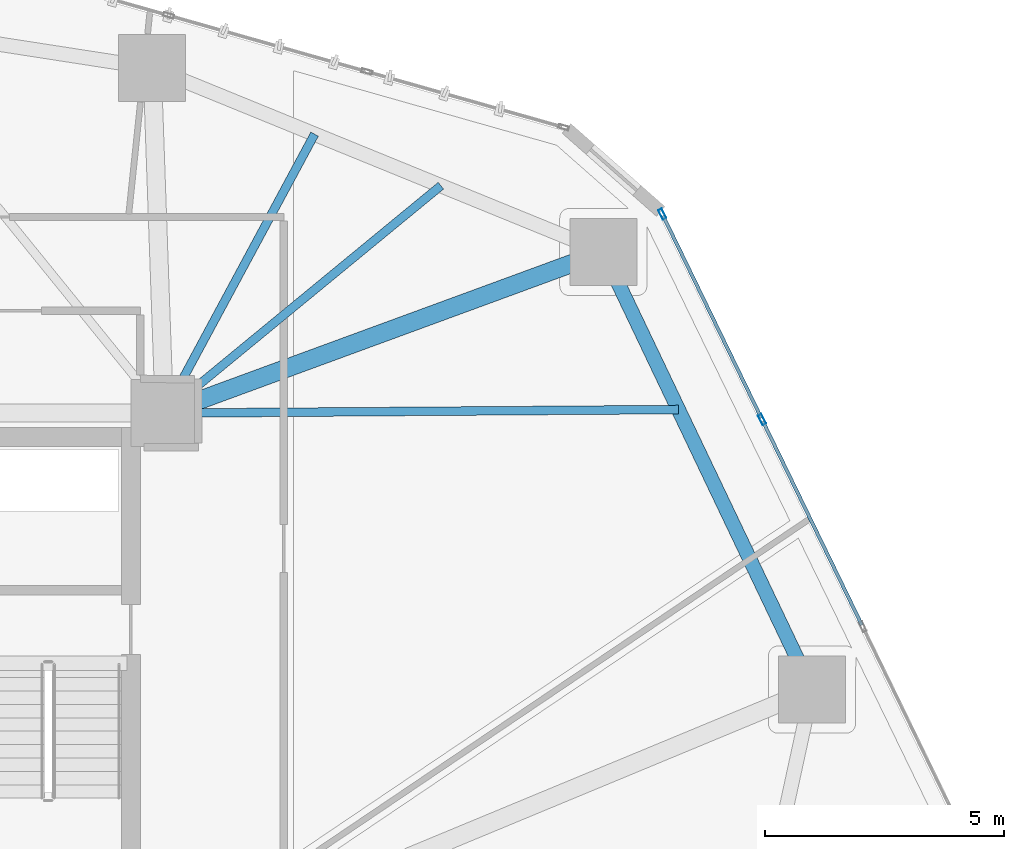
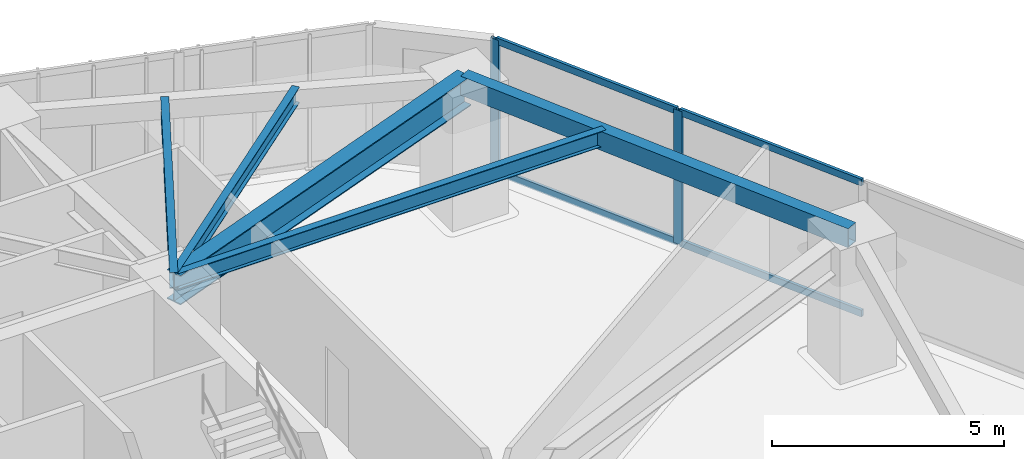
# One storey, part 13 of 24: 6 members, 5 beams, 1 element without a shape of its own.
"""IFC4 building model written with IfcOpenShell, lengths in metres."""

from ifc_helpers import new_model, si_unit, direction, frame, origin, origin_2d, place, context, subcontext, project, spatial, hollow_rectangle, i_section, extrude, source, transform, mapped, material, layer, layer_set, material_profile, profile_set, type_object, type_shapes, element, aggregate, save


model = new_model("IFC4")

# Units and contexts
model_context = context("Model", 3, precision=1e-05, world=origin(), true_north=direction((0.0, 1.0)))
body_context = subcontext(model_context, "Body", "Model", "MODEL_VIEW")
ifc_project = project(units=[si_unit("LENGTHUNIT", "METRE"), si_unit("AREAUNIT", "SQUARE_METRE"), si_unit("VOLUMEUNIT", "CUBIC_METRE"), si_unit("PLANEANGLEUNIT", "RADIAN"), si_unit("MASSUNIT", "GRAM", prefix="KILO")], contexts=[model_context])

# Site, building, storey
site_placement = place(None, origin())
site = spatial("IfcSite", under=ifc_project, at=site_placement, CompositionType="ELEMENT")
building_placement = place(site_placement, origin())
building = spatial("IfcBuilding", under=site, at=building_placement, Name="Talar Marvaseh", CompositionType="ELEMENT")
storey_placement = place(building_placement, frame((0.0, 0.0, 43.0)))
storey = spatial("IfcBuildingStorey", under=building, at=storey_placement, Name="L10", CompositionType="ELEMENT", Elevation=43.0)

# Beams
ifc_material_1 = material(Name="Steel S355", Category="steel")
ifc_material_profile_1 = material_profile(ifc_material_1, hollow_rectangle(XDim=0.300048828125, YDim=0.5, WallThickness=0.02001953125, at=origin_2d()), Name="RHS500x300x20")
ifc_profile_set_1 = profile_set([ifc_material_profile_1], Name="Steel S355")
beam_type_1 = type_object("IfcBeamType", Name="Zone 1 Perimeter Spandrel Beam RHS500x300x20", PredefinedType="SPANDREL", material=ifc_profile_set_1)
beam_1_placement = place(storey_placement, frame((42.47705078125, 40.26904296875, 3.27001953125), z_axis=(0.430480372911, -0.902599938255, 0.0), x_axis=(0.902599938255, 0.430480372911, 0.0)))
element("IfcBeam", 1, at=beam_1_placement, inside=storey, type_object=beam_type_1, Name="L10 Zone 1 Perimeter Spandrel Beam RHS500x300x20", PredefinedType="SPANDREL", context=body_context, shape_type="SweptSolid", body=[
    extrude(hollow_rectangle(XDim=0.300048828125, YDim=0.5, WallThickness=0.02001953125, at=origin_2d()), origin(), (0.0, 0.0, 1.0), 10.137451171875),
])
ifc_material_profile_2 = material_profile(ifc_material_1, i_section(OverallWidth=0.381103515625, OverallDepth=0.77294921875, WebThickness=0.0166015625, FlangeThickness=0.027099609375, at=origin_2d()), Name="W760x257")
ifc_profile_set_2 = profile_set([ifc_material_profile_2], Name="Steel S355")
beam_type_2 = type_object("IfcBeamType", Name="Zone 1 Radial Floor Girder W760x257", PredefinedType="BEAM", material=ifc_profile_set_2)
beam_2_placement = place(storey_placement, frame((42.47705078125, 40.26904296875, 3.133544921875), z_axis=(-0.938736057616, -0.344636930887, 0.0), x_axis=(0.344636930887, -0.938736057616, 0.0)))
element("IfcBeam", 2, at=beam_2_placement, inside=storey, type_object=beam_type_2, Name="L10 Zone 1 Radial Floor Girder W760x257", PredefinedType="BEAM", context=body_context, shape_type="SweptSolid", body=[
    extrude(i_section(OverallWidth=0.381103515625, OverallDepth=0.77294921875, WebThickness=0.0166015625, FlangeThickness=0.027099609375, at=origin_2d()), origin(), (0.0, 0.0, 1.0), 9.77587890625),
])
ifc_material_profile_3 = material_profile(ifc_material_1, i_section(OverallWidth=0.179931640625, OverallDepth=0.4130859375, WebThickness=0.009765625, FlangeThickness=0.01611328125, at=origin_2d()), Name="W410x75")
ifc_profile_set_3 = profile_set([ifc_material_profile_3], Name="Steel S355")
beam_type_3 = type_object("IfcBeamType", Name="Zone 1 Secondary Floor Joist W410x75", PredefinedType="JOIST", material=ifc_profile_set_3)
beam_3_placement = place(storey_placement, frame((44.048095703125, 36.97509765625, 3.3134765625), z_axis=(-0.999975527604, -0.006996012686, 0.0), x_axis=(0.006996012686, -0.999975527604, 0.0)))
element("IfcBeam", 3, at=beam_3_placement, inside=storey, type_object=beam_type_3, Name="L10 Zone 1 Secondary Floor Joist W410x75", PredefinedType="JOIST", context=body_context, shape_type="SweptSolid", body=[
    extrude(i_section(OverallWidth=0.179931640625, OverallDepth=0.4130859375, WebThickness=0.009765625, FlangeThickness=0.01611328125, at=origin_2d()), origin(), (0.0, 0.0, 1.0), 10.748291015625),
])
beam_4_placement = place(storey_placement, frame((36.441162109375, 42.732421875, 3.3134765625), z_axis=(-0.474161357627, -0.880437963137, 0.0), x_axis=(0.880437963137, -0.474161357627, 0.0)))
element("IfcBeam", 4, at=beam_4_placement, inside=storey, type_object=beam_type_3, Name="L10 Zone 1 Secondary Floor Joist W410x75", PredefinedType="JOIST", context=body_context, shape_type="SweptSolid", body=[
    extrude(i_section(OverallWidth=0.179931640625, OverallDepth=0.4130859375, WebThickness=0.009765625, FlangeThickness=0.01611328125, at=origin_2d()), origin(), (0.0, 0.0, 1.0), 6.62451171875),
])
beam_5_placement = place(storey_placement, frame((39.081787109375, 41.654541015625, 3.3134765625), z_axis=(-0.772375351123, -0.635166369526, 0.0), x_axis=(0.635166369526, -0.772375351123, 0.0)))
element("IfcBeam", 5, at=beam_5_placement, inside=storey, type_object=beam_type_3, Name="L10 Zone 1 Secondary Floor Joist W410x75", PredefinedType="JOIST", context=body_context, shape_type="SweptSolid", body=[
    extrude(i_section(OverallWidth=0.179931640625, OverallDepth=0.4130859375, WebThickness=0.009765625, FlangeThickness=0.01611328125, at=origin_2d()), origin(), (0.0, 0.0, 1.0), 7.485595703125),
])

# Curtain wall, members
ifc_material_2 = material(Name="Architectural Aluminium", Category="aluminium")
ifc_layer = layer(ifc_material_2, 0.219970703125)
ifc_layer_set = layer_set([ifc_layer], Name="Architectural Aluminium")
curtain_wall_type = type_object("IfcCurtainWallType", Name="Unitised Low-E Museum Curtain Wall Z1", PredefinedType="NOTDEFINED", material=ifc_layer_set)
curtain_wall_placement = place(storey_placement, origin())
curtain_wall = element("IfcCurtainWall", 6, at=curtain_wall_placement, inside=storey, type_object=curtain_wall_type, Name="L10 Unitised Low-E Museum Curtain Wall Z1", PredefinedType="NOTDEFINED")
ifc_material_profile_4 = material_profile(ifc_material_2, hollow_rectangle(XDim=0.080078125, YDim=0.219970703125, WallThickness=0.0048828125, at=origin_2d()), Name="RHS220x80x5")
ifc_profile_set_4 = profile_set([ifc_material_profile_4], Name="Architectural Aluminium")
member_type_1 = type_object("IfcMemberType", Name="Unitised Curtain Wall Heavy Mullion RHS220x80x5", PredefinedType="MULLION", material=ifc_profile_set_4)
shared_shape_1 = source(origin(), body_context, "Body", "SweptSolid", [
    extrude(hollow_rectangle(XDim=0.080078125, YDim=0.219970703125, WallThickness=0.0048828125, at=origin_2d()), origin(), (0.0, 0.0, 1.0), 3.52001953125),
])
type_shapes(member_type_1, [shared_shape_1])
member_1_placement = place(storey_placement, frame((43.708740234375, 41.06298828125, 0.0), z_axis=(0.0, 0.0, 1.0), x_axis=(0.89952791467, 0.436863286086, 0.0)))
member_1 = element("IfcMember", 7, at=member_1_placement, type_object=member_type_1, Name="CW-Z1 mullion 1", PredefinedType="MULLION", context=body_context, shape_type="MappedRepresentation", body=[
    mapped(shared_shape_1, transform((0.0, 0.0, 0.0), x_axis=(1.0, 0.0, 0.0), y_axis=(0.0, 1.0, 0.0), z_axis=(0.0, 0.0, 1.0), scale=1.0)),
])
member_2_placement = place(storey_placement, frame((45.79541015625, 36.766357421875, 0.0), z_axis=(0.0, 0.0, 1.0), x_axis=(0.89952791467, 0.436863286086, 0.0)))
member_2 = element("IfcMember", 8, at=member_2_placement, type_object=member_type_1, Name="CW-Z1 mullion 2", PredefinedType="MULLION", context=body_context, shape_type="MappedRepresentation", body=[
    mapped(shared_shape_1, transform((0.0, 0.0, 0.0), x_axis=(1.0, 0.0, 0.0), y_axis=(0.0, 1.0, 0.0), z_axis=(0.0, 0.0, 1.0), scale=1.0)),
])
ifc_material_profile_5 = material_profile(ifc_material_2, hollow_rectangle(XDim=0.074951171875, YDim=0.179931640625, WallThickness=0.0048828125, at=origin_2d()), Name="RHS180x75x5")
ifc_profile_set_5 = profile_set([ifc_material_profile_5], Name="Architectural Aluminium")
member_type_2 = type_object("IfcMemberType", Name="Unitised Curtain Wall Transom RHS180x75x5", PredefinedType="USERDEFINED", material=ifc_profile_set_5)
shared_shape_2 = source(origin(), body_context, "Body", "SweptSolid", [
    extrude(hollow_rectangle(XDim=0.074951171875, YDim=0.179931640625, WallThickness=0.0048828125, at=origin_2d()), origin(), (0.0, 0.0, 1.0), 4.69677734375),
])
member_3_placement = place(storey_placement, frame((43.72607421875, 41.027099609375, 0.03759765625), z_axis=(0.436849886407, -0.899534422213, 0.0), x_axis=(0.899534422213, 0.436849886407, 0.0)))
member_3 = element("IfcMember", 9, at=member_3_placement, type_object=member_type_2, Name="CW-Z1 transom 1.1", ObjectType="TRANSOM", PredefinedType="USERDEFINED", context=body_context, shape_type="MappedRepresentation", body=[
    mapped(shared_shape_2, transform((0.0, 0.0, 0.0), x_axis=(1.0, 0.0, 0.0), y_axis=(0.0, 1.0, 0.0), z_axis=(0.0, 0.0, 1.0), scale=1.0)),
])
member_4_placement = place(storey_placement, frame((43.72607421875, 41.027099609375, 3.482421875), z_axis=(0.436849886407, -0.899534422213, 0.0), x_axis=(0.899534422213, 0.436849886407, 0.0)))
member_4 = element("IfcMember", 10, at=member_4_placement, type_object=member_type_2, Name="CW-Z1 transom 1.2", ObjectType="TRANSOM", PredefinedType="USERDEFINED", context=body_context, shape_type="MappedRepresentation", body=[
    mapped(shared_shape_2, transform((0.0, 0.0, 0.0), x_axis=(1.0, 0.0, 0.0), y_axis=(0.0, 1.0, 0.0), z_axis=(0.0, 0.0, 1.0), scale=1.0)),
])
shared_shape_3 = source(origin(), body_context, "Body", "SweptSolid", [
    extrude(hollow_rectangle(XDim=0.074951171875, YDim=0.179931640625, WallThickness=0.0048828125, at=origin_2d()), origin(), (0.0, 0.0, 1.0), 4.736328125),
])
type_shapes(member_type_2, [shared_shape_2, shared_shape_3])
member_5_placement = place(storey_placement, frame((45.81298828125, 36.730224609375, 0.03759765625), z_axis=(0.436853913916, -0.899532466283, 0.0), x_axis=(0.899532466283, 0.436853913916, 0.0)))
member_5 = element("IfcMember", 11, at=member_5_placement, type_object=member_type_2, Name="CW-Z1 transom 2.1", ObjectType="TRANSOM", PredefinedType="USERDEFINED", context=body_context, shape_type="MappedRepresentation", body=[
    mapped(shared_shape_3, transform((0.0, 0.0, 0.0), x_axis=(1.0, 0.0, 0.0), y_axis=(0.0, 1.0, 0.0), z_axis=(0.0, 0.0, 1.0), scale=1.0)),
])
member_6_placement = place(storey_placement, frame((45.81298828125, 36.730224609375, 3.482421875), z_axis=(0.436853913916, -0.899532466283, 0.0), x_axis=(0.899532466283, 0.436853913916, 0.0)))
member_6 = element("IfcMember", 12, at=member_6_placement, type_object=member_type_2, Name="CW-Z1 transom 2.2", ObjectType="TRANSOM", PredefinedType="USERDEFINED", context=body_context, shape_type="MappedRepresentation", body=[
    mapped(shared_shape_3, transform((0.0, 0.0, 0.0), x_axis=(1.0, 0.0, 0.0), y_axis=(0.0, 1.0, 0.0), z_axis=(0.0, 0.0, 1.0), scale=1.0)),
])
aggregate(curtain_wall, [member_1, member_2, member_3, member_4, member_5, member_6])

save(model, "model.ifc")
